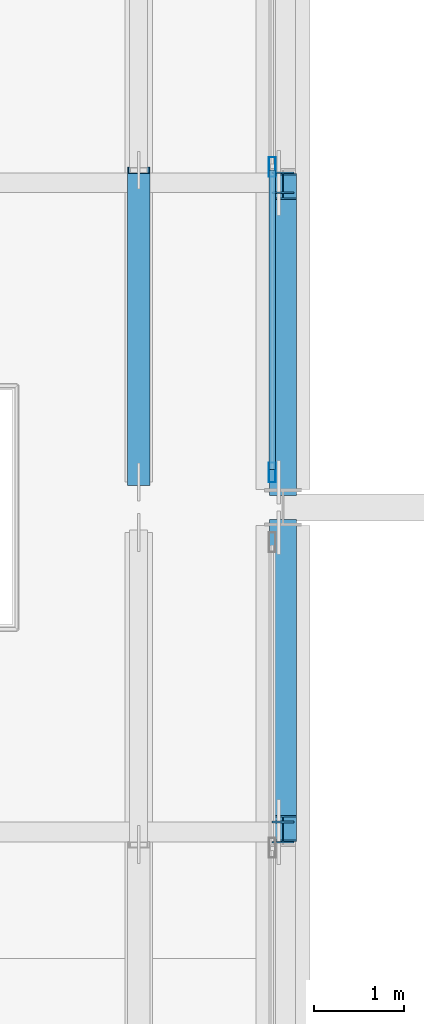
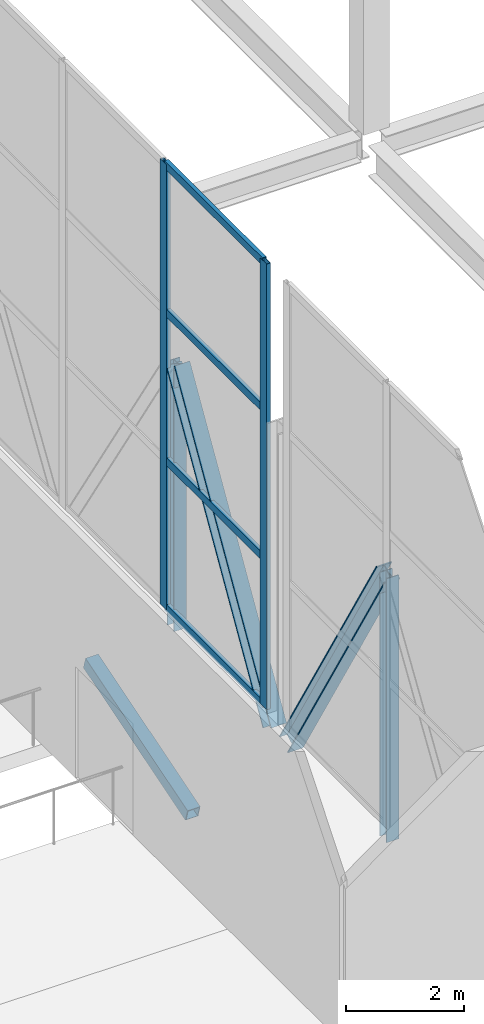
# One storey, part 60 of 191: 11 members, 1 element without a shape of its own.
"""IFC4 building model written with IfcOpenShell, lengths in metres."""

from ifc_helpers import new_model, si_unit, direction, frame, origin, origin_2d, place, context, subcontext, project, spatial, hollow_rectangle, i_section, extrude, material, layer, layer_set, material_profile, profile_set, type_object, element, aggregate, save


model = new_model("IFC4")

# Units and contexts
model_context = context("Model", 3, precision=1e-05, world=origin(), true_north=direction((0.0, 1.0)))
body_context = subcontext(model_context, "Body", "Model", "MODEL_VIEW")
ifc_project = project(units=[si_unit("LENGTHUNIT", "METRE"), si_unit("AREAUNIT", "SQUARE_METRE"), si_unit("VOLUMEUNIT", "CUBIC_METRE"), si_unit("PLANEANGLEUNIT", "RADIAN"), si_unit("MASSUNIT", "GRAM", prefix="KILO")], contexts=[model_context])

# Site, building, storey
site_placement = place(None, origin())
site = spatial("IfcSite", under=ifc_project, at=site_placement, CompositionType="ELEMENT")
building_placement = place(site_placement, origin())
building = spatial("IfcBuilding", under=site, at=building_placement, Name="Tamarisk Ironworks Central Station", CompositionType="ELEMENT")
storey_placement = place(building_placement, frame((0.0, 0.0, 6.60009765625)))
storey = spatial("IfcBuildingStorey", under=building, at=storey_placement, Name="L01", CompositionType="ELEMENT", Elevation=6.60009765625)

# Curtain wall, members
ifc_material_1 = material(Name="Anodized aluminium alloy 6063-T6", Category="aluminium")
ifc_layer = layer(ifc_material_1, 0.179931640625)
ifc_layer_set = layer_set([ifc_layer], Name="Anodized aluminium alloy 6063-T6")
curtain_wall_type = type_object("IfcCurtainWallType", Name="CW-06", PredefinedType="USERDEFINED", material=ifc_layer_set)
curtain_wall_placement = place(storey_placement, origin())
curtain_wall = element("IfcCurtainWall", 1, at=curtain_wall_placement, inside=storey, type_object=curtain_wall_type, Name="Concourse E track-overlook curtain wall 03", ObjectType="GLAZED CURTAIN WALL", PredefinedType="USERDEFINED")
ifc_material_profile_1 = material_profile(ifc_material_1, hollow_rectangle(XDim=0.074951171875, YDim=0.219970703125, WallThickness=0.00390625, at=origin_2d()), Name="ALUM 220x75")
ifc_profile_set_1 = profile_set([ifc_material_profile_1], Name="Anodized aluminium alloy 6063-T6")
member_type_1 = type_object("IfcMemberType", Name="CWM-01", PredefinedType="MULLION", material=ifc_profile_set_1)
member_1_placement = place(storey_placement, frame((107.8798828125, 36.387451171875, 0.0), z_axis=(0.0, 0.0, 1.0), x_axis=(-1.0, 0.0, 0.0)))
member_1 = element("IfcMember", 2, at=member_1_placement, type_object=member_type_1, Name="CW06 mullion 1", PredefinedType="MULLION", context=body_context, shape_type="SweptSolid", body=[
    extrude(hollow_rectangle(XDim=0.074951171875, YDim=0.219970703125, WallThickness=0.00390625, at=origin_2d()), origin(), (0.0, 0.0, 1.0), 9.219970703125),
])
member_2_placement = place(storey_placement, frame((107.8798828125, 39.77490234375, 0.0), z_axis=(0.0, 0.0, 1.0), x_axis=(-1.0, 0.0, 0.0)))
member_2 = element("IfcMember", 3, at=member_2_placement, type_object=member_type_1, Name="CW06 mullion 2", PredefinedType="MULLION", context=body_context, shape_type="SweptSolid", body=[
    extrude(hollow_rectangle(XDim=0.074951171875, YDim=0.219970703125, WallThickness=0.00390625, at=origin_2d()), origin(), (0.0, 0.0, 1.0), 9.219970703125),
])
ifc_material_profile_2 = material_profile(ifc_material_1, hollow_rectangle(XDim=0.074951171875, YDim=0.159912109375, WallThickness=0.00390625, at=origin_2d()), Name="ALUM 160x75")
ifc_profile_set_2 = profile_set([ifc_material_profile_2], Name="Anodized aluminium alloy 6063-T6")
member_type_2 = type_object("IfcMemberType", Name="CWT-01", PredefinedType="USERDEFINED", material=ifc_profile_set_2)
member_3_placement = place(storey_placement, frame((107.8798828125, 36.4208984375, 0.037353515625), z_axis=(0.0, 1.0, 0.0), x_axis=(-1.0, 0.0, 0.0)))
member_3 = element("IfcMember", 4, at=member_3_placement, type_object=member_type_2, Name="CW06 transom 1.1", ObjectType="TRANSOM", PredefinedType="USERDEFINED", context=body_context, shape_type="SweptSolid", body=[
    extrude(hollow_rectangle(XDim=0.074951171875, YDim=0.159912109375, WallThickness=0.00390625, at=origin_2d()), origin(), (0.0, 0.0, 1.0), 3.320556640625),
])
member_4_placement = place(storey_placement, frame((107.8798828125, 36.4208984375, 3.0732421875), z_axis=(0.0, 1.0, 0.0), x_axis=(-1.0, 0.0, 0.0)))
member_4 = element("IfcMember", 5, at=member_4_placement, type_object=member_type_2, Name="CW06 transom 1.2", ObjectType="TRANSOM", PredefinedType="USERDEFINED", context=body_context, shape_type="SweptSolid", body=[
    extrude(hollow_rectangle(XDim=0.074951171875, YDim=0.159912109375, WallThickness=0.00390625, at=origin_2d()), origin(), (0.0, 0.0, 1.0), 3.320556640625),
])
member_5_placement = place(storey_placement, frame((107.8798828125, 36.4208984375, 6.146484375), z_axis=(0.0, 1.0, 0.0), x_axis=(-1.0, 0.0, 0.0)))
member_5 = element("IfcMember", 6, at=member_5_placement, type_object=member_type_2, Name="CW06 transom 1.3", ObjectType="TRANSOM", PredefinedType="USERDEFINED", context=body_context, shape_type="SweptSolid", body=[
    extrude(hollow_rectangle(XDim=0.074951171875, YDim=0.159912109375, WallThickness=0.00390625, at=origin_2d()), origin(), (0.0, 0.0, 1.0), 3.320556640625),
])
member_6_placement = place(storey_placement, frame((107.8798828125, 36.4208984375, 9.182373046875), z_axis=(0.0, 1.0, 0.0), x_axis=(-1.0, 0.0, 0.0)))
member_6 = element("IfcMember", 7, at=member_6_placement, type_object=member_type_2, Name="CW06 transom 1.4", ObjectType="TRANSOM", PredefinedType="USERDEFINED", context=body_context, shape_type="SweptSolid", body=[
    extrude(hollow_rectangle(XDim=0.074951171875, YDim=0.159912109375, WallThickness=0.00390625, at=origin_2d()), origin(), (0.0, 0.0, 1.0), 3.320556640625),
])
aggregate(curtain_wall, [member_1, member_2, member_3, member_4, member_5, member_6])

# Members
ifc_material_2 = material(Name="Structural steel S355J2H", Category="steel")
ifc_material_profile_3 = material_profile(ifc_material_2, hollow_rectangle(XDim=0.25, YDim=0.25, WallThickness=0.012451171875, at=origin_2d()), Name="SHS 250x250x12.5")
ifc_profile_set_3 = profile_set([ifc_material_profile_3], Name="Structural steel S355J2H")
member_type_3 = type_object("IfcMemberType", Name="MB-BR01", PredefinedType="BRACE", material=ifc_profile_set_3)
member_7_placement = place(storey_placement, frame((106.39990234375, 36.280029296875, -1.64013671875), z_axis=(0.0, 0.956131332595, 0.292938346467), x_axis=(-1.0, 0.0, 0.0)))
element("IfcMember", 8, at=member_7_placement, inside=storey, type_object=member_type_3, Name="Bridge deck stiffening web brace 193", PredefinedType="BRACE", context=body_context, shape_type="SweptSolid", body=[
    extrude(hollow_rectangle(XDim=0.25, YDim=0.25, WallThickness=0.012451171875, at=origin_2d()), origin(), (0.0, 0.0, 1.0), 3.61865234375),
])
ifc_material_3 = material(Name="Structural steel S355J2", Category="steel")
ifc_material_profile_4 = material_profile(ifc_material_3, i_section(OverallWidth=0.300048828125, OverallDepth=0.340087890625, WebThickness=0.011962890625, FlangeThickness=0.021484375, at=origin_2d()), Name="HEB 340")
ifc_profile_set_4 = profile_set([ifc_material_profile_4], Name="Structural steel S355J2")
member_type_4 = type_object("IfcMemberType", Name="MB-TTD01", PredefinedType="BRACE", material=ifc_profile_set_4)
for number, where, z_axis, x_axis, name in (
    (9, (108.0, 32.43994140625, 5.119873046875), (0.0, 0.512200847378, -0.858865700762), (-1.0, 0.0, 0.0), "Transfer truss diagonal 090"),
    (10, (108.0, 36.280029296875, -0.380126953125), (0.0, 0.512200847378, 0.858865700762), (-1.0, 0.0, 0.0), "Transfer truss diagonal 092"),
):
    element("IfcMember", number, at=place(storey_placement, frame(where, z_axis=z_axis, x_axis=x_axis)), inside=storey, type_object=member_type_4, Name=name, PredefinedType="BRACE", context=body_context, shape_type="SweptSolid", body=[
        extrude(i_section(OverallWidth=0.300048828125, OverallDepth=0.340087890625, WebThickness=0.011962890625, FlangeThickness=0.021484375, at=origin_2d()), origin(), (0.0, 0.0, 1.0), 6.40380859375),
    ])
ifc_material_profile_5 = material_profile(ifc_material_3, i_section(OverallWidth=0.239990234375, OverallDepth=0.239990234375, WebThickness=0.010009765625, FlangeThickness=0.01708984375, at=origin_2d()), Name="HEB 240")
ifc_profile_set_5 = profile_set([ifc_material_profile_5], Name="Structural steel S355J2")
member_type_5 = type_object("IfcMemberType", Name="MB-TTP02", PredefinedType="POST", material=ifc_profile_set_5)
for number, where, z_axis, x_axis, name in (
    (11, (108.0, 32.39990234375, -0.340087890625), (0.0, 0.0, 1.0), (1.0, 0.0, 0.0), "Transfer truss vertical post 091"),
    (12, (108.0, 39.60009765625, -0.340087890625), (0.0, 0.0, 1.0), (1.0, 0.0, 0.0), "Transfer truss vertical post 094"),
):
    element("IfcMember", number, at=place(storey_placement, frame(where, z_axis=z_axis, x_axis=x_axis)), inside=storey, type_object=member_type_5, Name=name, PredefinedType="POST", context=body_context, shape_type="SweptSolid", body=[
        extrude(i_section(OverallWidth=0.239990234375, OverallDepth=0.239990234375, WebThickness=0.010009765625, FlangeThickness=0.01708984375, at=origin_2d()), origin(), (0.0, 0.0, 1.0), 5.4599609375),
    ])

save(model, "model.ifc")
